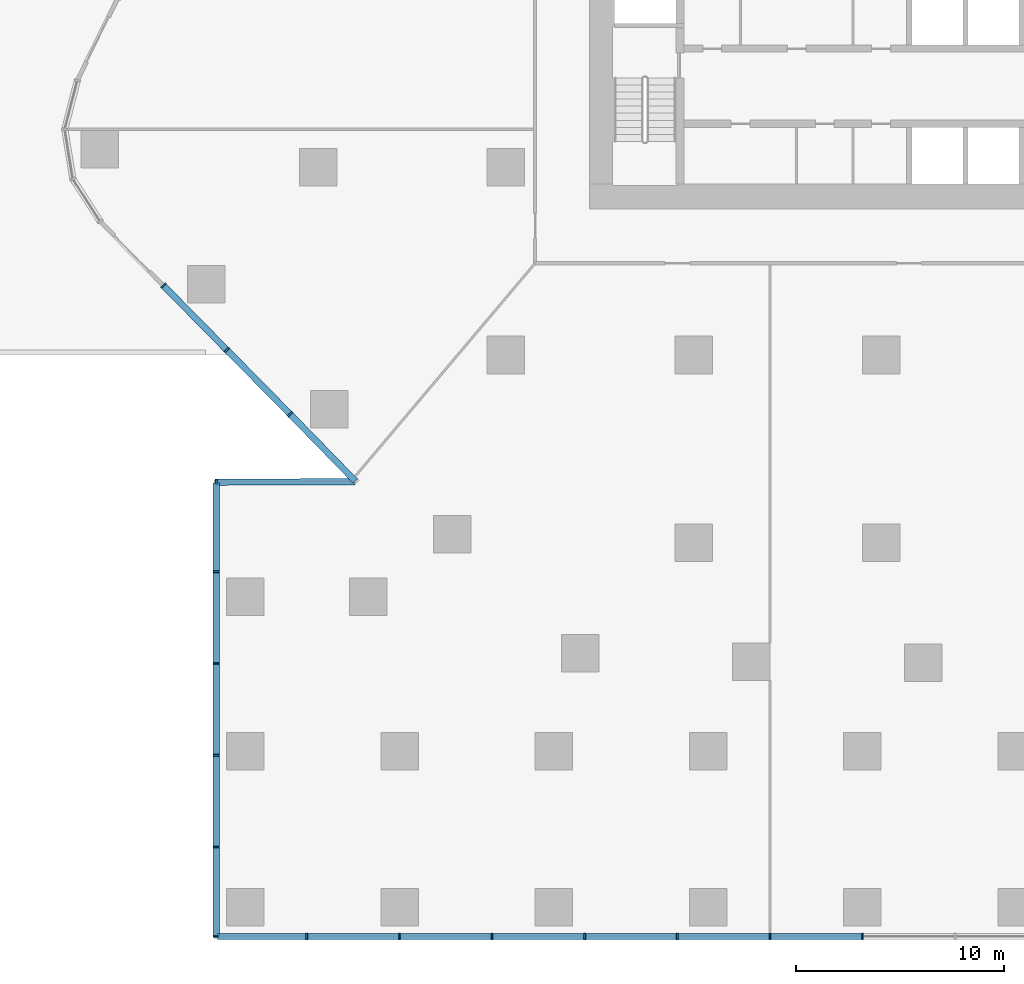
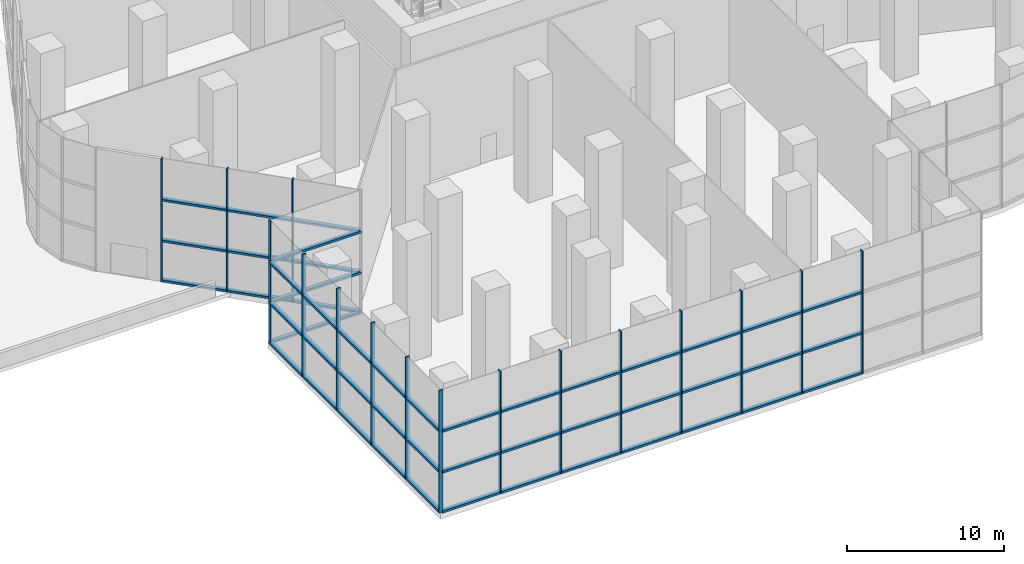
# One storey, part 2 of 21: 64 members, 4 elements without a shape of their own.
"""IFC4 building model written with IfcOpenShell, lengths in metres."""

from ifc_helpers import new_model, si_unit, direction, frame, origin, origin_2d, place, context, subcontext, project, spatial, rectangle, extrude, material, layer, layer_set, material_profile, profile_set, type_object, element, aggregate, save


model = new_model("IFC4")

# Units and contexts
model_context = context("Model", 3, precision=1e-05, world=origin(), true_north=direction((0.0, 1.0)))
body_context = subcontext(model_context, "Body", "Model", "MODEL_VIEW")
ifc_project = project(units=[si_unit("LENGTHUNIT", "METRE"), si_unit("AREAUNIT", "SQUARE_METRE"), si_unit("VOLUMEUNIT", "CUBIC_METRE"), si_unit("PLANEANGLEUNIT", "RADIAN"), si_unit("MASSUNIT", "GRAM", prefix="KILO")], contexts=[model_context])

# Site, building, storey
site_placement = place(None, origin())
site = spatial("IfcSite", under=ifc_project, at=site_placement, CompositionType="ELEMENT")
building_placement = place(site_placement, origin())
building = spatial("IfcBuilding", under=site, at=building_placement, Name="Dongbaek Canopy Tower", CompositionType="ELEMENT")
storey_placement = place(building_placement, frame((0.0, 0.0, 9.0)))
storey = spatial("IfcBuildingStorey", under=building, at=storey_placement, Name="L01", CompositionType="ELEMENT", Elevation=9.0)

# Curtain wall, members
ifc_material_1 = material(Name="Aluminium 6063-T6 pale anodised", Category="aluminium")
ifc_layer = layer(ifc_material_1, 0.300048828125)
ifc_layer_set = layer_set([ifc_layer], Name="CW-2 podium hall curtain wall")
curtain_wall_type = type_object("IfcCurtainWallType", Name="CW-2 podium hall curtain wall", PredefinedType="NOTDEFINED", material=ifc_layer_set)
curtain_wall_1_placement = place(storey_placement, origin())
curtain_wall_1 = element("IfcCurtainWall", 1, at=curtain_wall_1_placement, inside=storey, type_object=curtain_wall_type, Name="CW-2 curtain wall F8.1", PredefinedType="NOTDEFINED")
ifc_material_2 = material(Name="Aluminium 6063-T6 pale anodised", Category="aluminium")
ifc_material_profile_1 = material_profile(ifc_material_2, rectangle(XDim=0.300048828125, YDim=0.080078125, at=origin_2d()), Name="CW-2 mullion 80 x 300")
ifc_profile_set_1 = profile_set([ifc_material_profile_1], Name="Aluminium 6063-T6 pale anodised")
member_type_1 = type_object("IfcMemberType", Name="CW-2 mullion 80 x 300", PredefinedType="MULLION", material=ifc_profile_set_1)
member_1_placement = place(storey_placement, frame((-34.432861328125, -14.668212890625, 0.0), z_axis=(0.0, 0.0, 1.0), x_axis=(-0.71245453488, -0.70171827376, 0.0)))
member_1 = element("IfcMember", 2, at=member_1_placement, type_object=member_type_1, Name="CW-2 mullion F8.1.1", PredefinedType="MULLION", context=body_context, shape_type="SweptSolid", body=[
    extrude(rectangle(XDim=0.300048828125, YDim=0.080078125, at=origin_2d()), origin(), (0.0, 0.0, 1.0), 9.550048828125),
])
member_2_placement = place(storey_placement, frame((-31.392333984375, -17.75537109375, 0.0), z_axis=(0.0, 0.0, 1.0), x_axis=(-0.71245453488, -0.70171827376, 0.0)))
member_2 = element("IfcMember", 3, at=member_2_placement, type_object=member_type_1, Name="CW-2 mullion F8.1.2", PredefinedType="MULLION", context=body_context, shape_type="SweptSolid", body=[
    extrude(rectangle(XDim=0.300048828125, YDim=0.080078125, at=origin_2d()), origin(), (0.0, 0.0, 1.0), 9.550048828125),
])
member_3_placement = place(storey_placement, frame((-28.3515625, -20.842529296875, 0.0), z_axis=(0.0, 0.0, 1.0), x_axis=(-0.714220075218, -0.699921198533, 0.0)))
member_3 = element("IfcMember", 4, at=member_3_placement, type_object=member_type_1, Name="CW-2 mullion F8.1.3", PredefinedType="MULLION", context=body_context, shape_type="SweptSolid", body=[
    extrude(rectangle(XDim=0.300048828125, YDim=0.080078125, at=origin_2d()), origin(), (0.0, 0.0, 1.0), 9.550048828125),
])

# Curtain wall, member
curtain_wall_2_placement = place(storey_placement, origin())
curtain_wall_2 = element("IfcCurtainWall", 5, at=curtain_wall_2_placement, inside=storey, type_object=curtain_wall_type, Name="CW-2 curtain wall F9.1", PredefinedType="NOTDEFINED")
member_4_placement = place(storey_placement, frame((-31.89990234375, -24.10009765625, 0.0), z_axis=(0.0, 0.0, 1.0), x_axis=(-0.003396170688, 0.999994232996, 0.0)))
member_4 = element("IfcMember", 6, at=member_4_placement, type_object=member_type_1, Name="CW-2 mullion F9.1.2", PredefinedType="MULLION", context=body_context, shape_type="SweptSolid", body=[
    extrude(rectangle(XDim=0.300048828125, YDim=0.080078125, at=origin_2d()), origin(), (0.0, 0.0, 1.0), 9.550048828125),
])

# Curtain wall, members
curtain_wall_3_placement = place(storey_placement, origin())
curtain_wall_3 = element("IfcCurtainWall", 7, at=curtain_wall_3_placement, inside=storey, type_object=curtain_wall_type, Name="CW-2 curtain wall F10.1", PredefinedType="NOTDEFINED")
member_5_placement = place(storey_placement, frame((-31.89990234375, -28.39990234375, 0.0), z_axis=(0.0, 0.0, 1.0), x_axis=(-1.0, 0.0, 0.0)))
member_5 = element("IfcMember", 8, at=member_5_placement, type_object=member_type_1, Name="CW-2 mullion F10.1.2", PredefinedType="MULLION", context=body_context, shape_type="SweptSolid", body=[
    extrude(rectangle(XDim=0.300048828125, YDim=0.080078125, at=origin_2d()), origin(), (0.0, 0.0, 1.0), 9.550048828125),
])
member_6_placement = place(storey_placement, frame((-31.89990234375, -32.800048828125, 0.0), z_axis=(0.0, 0.0, 1.0), x_axis=(-1.0, 0.0, 0.0)))
member_6 = element("IfcMember", 9, at=member_6_placement, type_object=member_type_1, Name="CW-2 mullion F10.1.3", PredefinedType="MULLION", context=body_context, shape_type="SweptSolid", body=[
    extrude(rectangle(XDim=0.300048828125, YDim=0.080078125, at=origin_2d()), origin(), (0.0, 0.0, 1.0), 9.550048828125),
])
member_7_placement = place(storey_placement, frame((-31.89990234375, -37.199951171875, 0.0), z_axis=(0.0, 0.0, 1.0), x_axis=(-1.0, 0.0, 0.0)))
member_7 = element("IfcMember", 10, at=member_7_placement, type_object=member_type_1, Name="CW-2 mullion F10.1.4", PredefinedType="MULLION", context=body_context, shape_type="SweptSolid", body=[
    extrude(rectangle(XDim=0.300048828125, YDim=0.080078125, at=origin_2d()), origin(), (0.0, 0.0, 1.0), 9.550048828125),
])
member_8_placement = place(storey_placement, frame((-31.89990234375, -41.60009765625, 0.0), z_axis=(0.0, 0.0, 1.0), x_axis=(-1.0, 0.0, 0.0)))
member_8 = element("IfcMember", 11, at=member_8_placement, type_object=member_type_1, Name="CW-2 mullion F10.1.5", PredefinedType="MULLION", context=body_context, shape_type="SweptSolid", body=[
    extrude(rectangle(XDim=0.300048828125, YDim=0.080078125, at=origin_2d()), origin(), (0.0, 0.0, 1.0), 9.550048828125),
])
member_9_placement = place(storey_placement, frame((-31.89990234375, -45.89990234375, 0.0), z_axis=(0.0, 0.0, 1.0), x_axis=(-1.0, 0.0, 0.0)))
member_9 = element("IfcMember", 12, at=member_9_placement, type_object=member_type_1, Name="CW-2 mullion F10.1.6", PredefinedType="MULLION", context=body_context, shape_type="SweptSolid", body=[
    extrude(rectangle(XDim=0.300048828125, YDim=0.080078125, at=origin_2d()), origin(), (0.0, 0.0, 1.0), 9.550048828125),
])

curtain_wall_4_placement = place(storey_placement, origin())
curtain_wall_4 = element("IfcCurtainWall", 13, at=curtain_wall_4_placement, inside=storey, type_object=curtain_wall_type, Name="CW-2 curtain wall F11.1", PredefinedType="NOTDEFINED")
member_10_placement = place(storey_placement, frame((-27.5556640625, -45.89990234375, 0.0), z_axis=(0.0, 0.0, 1.0), x_axis=(0.0, -1.0, 0.0)))
member_10 = element("IfcMember", 14, at=member_10_placement, type_object=member_type_1, Name="CW-2 mullion F11.1.2", PredefinedType="MULLION", context=body_context, shape_type="SweptSolid", body=[
    extrude(rectangle(XDim=0.300048828125, YDim=0.080078125, at=origin_2d()), origin(), (0.0, 0.0, 1.0), 9.550048828125),
])
member_11_placement = place(storey_placement, frame((-23.111083984375, -45.89990234375, 0.0), z_axis=(0.0, 0.0, 1.0), x_axis=(0.0, -1.0, 0.0)))
member_11 = element("IfcMember", 15, at=member_11_placement, type_object=member_type_1, Name="CW-2 mullion F11.1.3", PredefinedType="MULLION", context=body_context, shape_type="SweptSolid", body=[
    extrude(rectangle(XDim=0.300048828125, YDim=0.080078125, at=origin_2d()), origin(), (0.0, 0.0, 1.0), 9.550048828125),
])
member_12_placement = place(storey_placement, frame((-18.666748046875, -45.89990234375, 0.0), z_axis=(0.0, 0.0, 1.0), x_axis=(0.0, -1.0, 0.0)))
member_12 = element("IfcMember", 16, at=member_12_placement, type_object=member_type_1, Name="CW-2 mullion F11.1.4", PredefinedType="MULLION", context=body_context, shape_type="SweptSolid", body=[
    extrude(rectangle(XDim=0.300048828125, YDim=0.080078125, at=origin_2d()), origin(), (0.0, 0.0, 1.0), 9.550048828125),
])
member_13_placement = place(storey_placement, frame((-14.22216796875, -45.89990234375, 0.0), z_axis=(0.0, 0.0, 1.0), x_axis=(0.0, -1.0, 0.0)))
member_13 = element("IfcMember", 17, at=member_13_placement, type_object=member_type_1, Name="CW-2 mullion F11.1.5", PredefinedType="MULLION", context=body_context, shape_type="SweptSolid", body=[
    extrude(rectangle(XDim=0.300048828125, YDim=0.080078125, at=origin_2d()), origin(), (0.0, 0.0, 1.0), 9.550048828125),
])
member_14_placement = place(storey_placement, frame((-9.77783203125, -45.89990234375, 0.0), z_axis=(0.0, 0.0, 1.0), x_axis=(0.0, -1.0, 0.0)))
member_14 = element("IfcMember", 18, at=member_14_placement, type_object=member_type_1, Name="CW-2 mullion F11.1.6", PredefinedType="MULLION", context=body_context, shape_type="SweptSolid", body=[
    extrude(rectangle(XDim=0.300048828125, YDim=0.080078125, at=origin_2d()), origin(), (0.0, 0.0, 1.0), 9.550048828125),
])
member_15_placement = place(storey_placement, frame((-5.333251953125, -45.89990234375, 0.0), z_axis=(0.0, 0.0, 1.0), x_axis=(0.0, -1.0, 0.0)))
member_15 = element("IfcMember", 19, at=member_15_placement, type_object=member_type_1, Name="CW-2 mullion F11.1.7", PredefinedType="MULLION", context=body_context, shape_type="SweptSolid", body=[
    extrude(rectangle(XDim=0.300048828125, YDim=0.080078125, at=origin_2d()), origin(), (0.0, 0.0, 1.0), 9.550048828125),
])
member_16_placement = place(storey_placement, frame((-0.888916015625, -45.89990234375, 0.0), z_axis=(0.0, 0.0, 1.0), x_axis=(0.0, -1.0, 0.0)))
member_16 = element("IfcMember", 20, at=member_16_placement, type_object=member_type_1, Name="CW-2 mullion F11.1.8", PredefinedType="MULLION", context=body_context, shape_type="SweptSolid", body=[
    extrude(rectangle(XDim=0.300048828125, YDim=0.080078125, at=origin_2d()), origin(), (0.0, 0.0, 1.0), 9.550048828125),
])

# Member
ifc_material_3 = material(Name="Aluminium 6063-T6 pale anodised", Category="aluminium")
ifc_material_profile_2 = material_profile(ifc_material_3, rectangle(XDim=0.300048828125, YDim=0.159912109375, at=origin_2d()), Name="CW-2 transom 160 x 300")
ifc_profile_set_2 = profile_set([ifc_material_profile_2], Name="Aluminium 6063-T6 pale anodised")
member_type_2 = type_object("IfcMemberType", Name="CW-2 transom 160 x 300", PredefinedType="USERDEFINED", material=ifc_profile_set_2)
member_17_placement = place(storey_placement, frame((-34.396484375, -14.705322265625, 0.080078125), z_axis=(0.701746738889, -0.712426497584, 0.0), x_axis=(0.712426497584, 0.701746738889, 0.0)))
member_17 = element("IfcMember", 21, at=member_17_placement, type_object=member_type_2, Name="CW-2 transom F8.1.1.1", ObjectType="TRANSOM", PredefinedType="USERDEFINED", context=body_context, shape_type="SweptSolid", body=[
    extrude(rectangle(XDim=0.300048828125, YDim=0.159912109375, at=origin_2d()), origin(), (0.0, 0.0, 1.0), 4.22900390625),
])

member_18_placement = place(storey_placement, frame((-34.396484375, -14.705322265625, 3.183349609375), z_axis=(0.701746738889, -0.712426497584, 0.0), x_axis=(0.712426497584, 0.701746738889, 0.0)))
member_18 = element("IfcMember", 22, at=member_18_placement, type_object=member_type_2, Name="CW-2 transom F8.1.1.2", ObjectType="TRANSOM", PredefinedType="USERDEFINED", context=body_context, shape_type="SweptSolid", body=[
    extrude(rectangle(XDim=0.300048828125, YDim=0.159912109375, at=origin_2d()), origin(), (0.0, 0.0, 1.0), 4.22900390625),
])

member_19_placement = place(storey_placement, frame((-34.396484375, -14.705322265625, 6.36669921875), z_axis=(0.701746738889, -0.712426497584, 0.0), x_axis=(0.712426497584, 0.701746738889, 0.0)))
member_19 = element("IfcMember", 23, at=member_19_placement, type_object=member_type_2, Name="CW-2 transom F8.1.1.3", ObjectType="TRANSOM", PredefinedType="USERDEFINED", context=body_context, shape_type="SweptSolid", body=[
    extrude(rectangle(XDim=0.300048828125, YDim=0.159912109375, at=origin_2d()), origin(), (0.0, 0.0, 1.0), 4.22900390625),
])

member_20_placement = place(storey_placement, frame((-31.355712890625, -17.79248046875, 0.080078125), z_axis=(0.701717878579, -0.712454924105, 0.0), x_axis=(0.712454924105, 0.701717878579, 0.0)))
member_20 = element("IfcMember", 24, at=member_20_placement, type_object=member_type_2, Name="CW-2 transom F8.1.2.1", ObjectType="TRANSOM", PredefinedType="USERDEFINED", context=body_context, shape_type="SweptSolid", body=[
    extrude(rectangle(XDim=0.300048828125, YDim=0.159912109375, at=origin_2d()), origin(), (0.0, 0.0, 1.0), 4.229248046875),
])

member_21_placement = place(storey_placement, frame((-31.355712890625, -17.79248046875, 3.183349609375), z_axis=(0.701717878579, -0.712454924105, 0.0), x_axis=(0.712454924105, 0.701717878579, 0.0)))
member_21 = element("IfcMember", 25, at=member_21_placement, type_object=member_type_2, Name="CW-2 transom F8.1.2.2", ObjectType="TRANSOM", PredefinedType="USERDEFINED", context=body_context, shape_type="SweptSolid", body=[
    extrude(rectangle(XDim=0.300048828125, YDim=0.159912109375, at=origin_2d()), origin(), (0.0, 0.0, 1.0), 4.229248046875),
])

member_22_placement = place(storey_placement, frame((-31.355712890625, -17.79248046875, 6.36669921875), z_axis=(0.701717878579, -0.712454924105, 0.0), x_axis=(0.712454924105, 0.701717878579, 0.0)))
member_22 = element("IfcMember", 26, at=member_22_placement, type_object=member_type_2, Name="CW-2 transom F8.1.2.3", ObjectType="TRANSOM", PredefinedType="USERDEFINED", context=body_context, shape_type="SweptSolid", body=[
    extrude(rectangle(XDim=0.300048828125, YDim=0.159912109375, at=origin_2d()), origin(), (0.0, 0.0, 1.0), 4.229248046875),
])

member_23_placement = place(storey_placement, frame((-28.315185546875, -20.8798828125, 0.080078125), z_axis=(0.698117150151, -0.715983550555, 0.0), x_axis=(0.715983550555, 0.698117150151, 0.0)))
member_23 = element("IfcMember", 27, at=member_23_placement, type_object=member_type_2, Name="CW-2 transom F8.1.3.1", ObjectType="TRANSOM", PredefinedType="USERDEFINED", context=body_context, shape_type="SweptSolid", body=[
    extrude(rectangle(XDim=0.300048828125, YDim=0.159912109375, at=origin_2d()), origin(), (0.0, 0.0, 1.0), 4.413818359375),
])

member_24_placement = place(storey_placement, frame((-28.315185546875, -20.8798828125, 3.183349609375), z_axis=(0.698117150151, -0.715983550555, 0.0), x_axis=(0.715983550555, 0.698117150151, 0.0)))
member_24 = element("IfcMember", 28, at=member_24_placement, type_object=member_type_2, Name="CW-2 transom F8.1.3.2", ObjectType="TRANSOM", PredefinedType="USERDEFINED", context=body_context, shape_type="SweptSolid", body=[
    extrude(rectangle(XDim=0.300048828125, YDim=0.159912109375, at=origin_2d()), origin(), (0.0, 0.0, 1.0), 4.413818359375),
])

member_25_placement = place(storey_placement, frame((-28.315185546875, -20.8798828125, 6.36669921875), z_axis=(0.698117150151, -0.715983550555, 0.0), x_axis=(0.715983550555, 0.698117150151, 0.0)))
member_25 = element("IfcMember", 29, at=member_25_placement, type_object=member_type_2, Name="CW-2 transom F8.1.3.3", ObjectType="TRANSOM", PredefinedType="USERDEFINED", context=body_context, shape_type="SweptSolid", body=[
    extrude(rectangle(XDim=0.300048828125, YDim=0.159912109375, at=origin_2d()), origin(), (0.0, 0.0, 1.0), 4.413818359375),
])

aggregate(curtain_wall_1, [member_1, member_2, member_3, member_17, member_18, member_19, member_20, member_21, member_22, member_23, member_24, member_25])

member_26_placement = place(storey_placement, frame((-25.249755859375, -24.077392578125, 0.080078125), z_axis=(-0.999994206002, -0.003404109633, 0.0), x_axis=(0.003404109633, -0.999994206002, 0.0)))
member_26 = element("IfcMember", 30, at=member_26_placement, type_object=member_type_2, Name="CW-2 transom F9.1.1.1", ObjectType="TRANSOM", PredefinedType="USERDEFINED", context=body_context, shape_type="SweptSolid", body=[
    extrude(rectangle(XDim=0.300048828125, YDim=0.159912109375, at=origin_2d()), origin(), (0.0, 0.0, 1.0), 6.59814453125),
])

member_27_placement = place(storey_placement, frame((-25.249755859375, -24.077392578125, 3.183349609375), z_axis=(-0.999994206002, -0.003404109633, 0.0), x_axis=(0.003404109633, -0.999994206002, 0.0)))
member_27 = element("IfcMember", 31, at=member_27_placement, type_object=member_type_2, Name="CW-2 transom F9.1.1.2", ObjectType="TRANSOM", PredefinedType="USERDEFINED", context=body_context, shape_type="SweptSolid", body=[
    extrude(rectangle(XDim=0.300048828125, YDim=0.159912109375, at=origin_2d()), origin(), (0.0, 0.0, 1.0), 6.59814453125),
])

member_28_placement = place(storey_placement, frame((-25.249755859375, -24.077392578125, 6.36669921875), z_axis=(-0.999994206002, -0.003404109633, 0.0), x_axis=(0.003404109633, -0.999994206002, 0.0)))
member_28 = element("IfcMember", 32, at=member_28_placement, type_object=member_type_2, Name="CW-2 transom F9.1.1.3", ObjectType="TRANSOM", PredefinedType="USERDEFINED", context=body_context, shape_type="SweptSolid", body=[
    extrude(rectangle(XDim=0.300048828125, YDim=0.159912109375, at=origin_2d()), origin(), (0.0, 0.0, 1.0), 6.59814453125),
])

aggregate(curtain_wall_2, [member_4, member_26, member_27, member_28])

member_29_placement = place(storey_placement, frame((-31.89990234375, -24.152099609375, 0.080078125), z_axis=(0.0, -1.0, 0.0), x_axis=(1.0, 0.0, 0.0)))
member_29 = element("IfcMember", 33, at=member_29_placement, type_object=member_type_2, Name="CW-2 transom F10.1.1.1", ObjectType="TRANSOM", PredefinedType="USERDEFINED", context=body_context, shape_type="SweptSolid", body=[
    extrude(rectangle(XDim=0.300048828125, YDim=0.159912109375, at=origin_2d()), origin(), (0.0, 0.0, 1.0), 4.19580078125),
])

member_30_placement = place(storey_placement, frame((-31.89990234375, -24.152099609375, 3.183349609375), z_axis=(0.0, -1.0, 0.0), x_axis=(1.0, 0.0, 0.0)))
member_30 = element("IfcMember", 34, at=member_30_placement, type_object=member_type_2, Name="CW-2 transom F10.1.1.2", ObjectType="TRANSOM", PredefinedType="USERDEFINED", context=body_context, shape_type="SweptSolid", body=[
    extrude(rectangle(XDim=0.300048828125, YDim=0.159912109375, at=origin_2d()), origin(), (0.0, 0.0, 1.0), 4.19580078125),
])

member_31_placement = place(storey_placement, frame((-31.89990234375, -24.152099609375, 6.36669921875), z_axis=(0.0, -1.0, 0.0), x_axis=(1.0, 0.0, 0.0)))
member_31 = element("IfcMember", 35, at=member_31_placement, type_object=member_type_2, Name="CW-2 transom F10.1.1.3", ObjectType="TRANSOM", PredefinedType="USERDEFINED", context=body_context, shape_type="SweptSolid", body=[
    extrude(rectangle(XDim=0.300048828125, YDim=0.159912109375, at=origin_2d()), origin(), (0.0, 0.0, 1.0), 4.19580078125),
])

member_32_placement = place(storey_placement, frame((-31.89990234375, -28.451904296875, 0.080078125), z_axis=(0.0, -1.0, 0.0), x_axis=(1.0, 0.0, 0.0)))
member_32 = element("IfcMember", 36, at=member_32_placement, type_object=member_type_2, Name="CW-2 transom F10.1.2.1", ObjectType="TRANSOM", PredefinedType="USERDEFINED", context=body_context, shape_type="SweptSolid", body=[
    extrude(rectangle(XDim=0.300048828125, YDim=0.159912109375, at=origin_2d()), origin(), (0.0, 0.0, 1.0), 4.296142578125),
])

member_33_placement = place(storey_placement, frame((-31.89990234375, -28.451904296875, 3.183349609375), z_axis=(0.0, -1.0, 0.0), x_axis=(1.0, 0.0, 0.0)))
member_33 = element("IfcMember", 37, at=member_33_placement, type_object=member_type_2, Name="CW-2 transom F10.1.2.2", ObjectType="TRANSOM", PredefinedType="USERDEFINED", context=body_context, shape_type="SweptSolid", body=[
    extrude(rectangle(XDim=0.300048828125, YDim=0.159912109375, at=origin_2d()), origin(), (0.0, 0.0, 1.0), 4.296142578125),
])

member_34_placement = place(storey_placement, frame((-31.89990234375, -28.451904296875, 6.36669921875), z_axis=(0.0, -1.0, 0.0), x_axis=(1.0, 0.0, 0.0)))
member_34 = element("IfcMember", 38, at=member_34_placement, type_object=member_type_2, Name="CW-2 transom F10.1.2.3", ObjectType="TRANSOM", PredefinedType="USERDEFINED", context=body_context, shape_type="SweptSolid", body=[
    extrude(rectangle(XDim=0.300048828125, YDim=0.159912109375, at=origin_2d()), origin(), (0.0, 0.0, 1.0), 4.296142578125),
])

member_35_placement = place(storey_placement, frame((-31.89990234375, -32.85205078125, 0.080078125), z_axis=(0.0, -1.0, 0.0), x_axis=(1.0, 0.0, 0.0)))
member_35 = element("IfcMember", 39, at=member_35_placement, type_object=member_type_2, Name="CW-2 transom F10.1.3.1", ObjectType="TRANSOM", PredefinedType="USERDEFINED", context=body_context, shape_type="SweptSolid", body=[
    extrude(rectangle(XDim=0.300048828125, YDim=0.159912109375, at=origin_2d()), origin(), (0.0, 0.0, 1.0), 4.2958984375),
])

member_36_placement = place(storey_placement, frame((-31.89990234375, -32.85205078125, 3.183349609375), z_axis=(0.0, -1.0, 0.0), x_axis=(1.0, 0.0, 0.0)))
member_36 = element("IfcMember", 40, at=member_36_placement, type_object=member_type_2, Name="CW-2 transom F10.1.3.2", ObjectType="TRANSOM", PredefinedType="USERDEFINED", context=body_context, shape_type="SweptSolid", body=[
    extrude(rectangle(XDim=0.300048828125, YDim=0.159912109375, at=origin_2d()), origin(), (0.0, 0.0, 1.0), 4.2958984375),
])

member_37_placement = place(storey_placement, frame((-31.89990234375, -32.85205078125, 6.36669921875), z_axis=(0.0, -1.0, 0.0), x_axis=(1.0, 0.0, 0.0)))
member_37 = element("IfcMember", 41, at=member_37_placement, type_object=member_type_2, Name="CW-2 transom F10.1.3.3", ObjectType="TRANSOM", PredefinedType="USERDEFINED", context=body_context, shape_type="SweptSolid", body=[
    extrude(rectangle(XDim=0.300048828125, YDim=0.159912109375, at=origin_2d()), origin(), (0.0, 0.0, 1.0), 4.2958984375),
])

member_38_placement = place(storey_placement, frame((-31.89990234375, -37.251953125, 0.080078125), z_axis=(0.0, -1.0, 0.0), x_axis=(1.0, 0.0, 0.0)))
member_38 = element("IfcMember", 42, at=member_38_placement, type_object=member_type_2, Name="CW-2 transom F10.1.4.1", ObjectType="TRANSOM", PredefinedType="USERDEFINED", context=body_context, shape_type="SweptSolid", body=[
    extrude(rectangle(XDim=0.300048828125, YDim=0.159912109375, at=origin_2d()), origin(), (0.0, 0.0, 1.0), 4.296142578125),
])

member_39_placement = place(storey_placement, frame((-31.89990234375, -37.251953125, 3.183349609375), z_axis=(0.0, -1.0, 0.0), x_axis=(1.0, 0.0, 0.0)))
member_39 = element("IfcMember", 43, at=member_39_placement, type_object=member_type_2, Name="CW-2 transom F10.1.4.2", ObjectType="TRANSOM", PredefinedType="USERDEFINED", context=body_context, shape_type="SweptSolid", body=[
    extrude(rectangle(XDim=0.300048828125, YDim=0.159912109375, at=origin_2d()), origin(), (0.0, 0.0, 1.0), 4.296142578125),
])

member_40_placement = place(storey_placement, frame((-31.89990234375, -37.251953125, 6.36669921875), z_axis=(0.0, -1.0, 0.0), x_axis=(1.0, 0.0, 0.0)))
member_40 = element("IfcMember", 44, at=member_40_placement, type_object=member_type_2, Name="CW-2 transom F10.1.4.3", ObjectType="TRANSOM", PredefinedType="USERDEFINED", context=body_context, shape_type="SweptSolid", body=[
    extrude(rectangle(XDim=0.300048828125, YDim=0.159912109375, at=origin_2d()), origin(), (0.0, 0.0, 1.0), 4.296142578125),
])

member_41_placement = place(storey_placement, frame((-31.89990234375, -41.652099609375, 0.080078125), z_axis=(0.0, -1.0, 0.0), x_axis=(1.0, 0.0, 0.0)))
member_41 = element("IfcMember", 45, at=member_41_placement, type_object=member_type_2, Name="CW-2 transom F10.1.5.1", ObjectType="TRANSOM", PredefinedType="USERDEFINED", context=body_context, shape_type="SweptSolid", body=[
    extrude(rectangle(XDim=0.300048828125, YDim=0.159912109375, at=origin_2d()), origin(), (0.0, 0.0, 1.0), 4.19580078125),
])

member_42_placement = place(storey_placement, frame((-31.89990234375, -41.652099609375, 3.183349609375), z_axis=(0.0, -1.0, 0.0), x_axis=(1.0, 0.0, 0.0)))
member_42 = element("IfcMember", 46, at=member_42_placement, type_object=member_type_2, Name="CW-2 transom F10.1.5.2", ObjectType="TRANSOM", PredefinedType="USERDEFINED", context=body_context, shape_type="SweptSolid", body=[
    extrude(rectangle(XDim=0.300048828125, YDim=0.159912109375, at=origin_2d()), origin(), (0.0, 0.0, 1.0), 4.19580078125),
])

member_43_placement = place(storey_placement, frame((-31.89990234375, -41.652099609375, 6.36669921875), z_axis=(0.0, -1.0, 0.0), x_axis=(1.0, 0.0, 0.0)))
member_43 = element("IfcMember", 47, at=member_43_placement, type_object=member_type_2, Name="CW-2 transom F10.1.5.3", ObjectType="TRANSOM", PredefinedType="USERDEFINED", context=body_context, shape_type="SweptSolid", body=[
    extrude(rectangle(XDim=0.300048828125, YDim=0.159912109375, at=origin_2d()), origin(), (0.0, 0.0, 1.0), 4.19580078125),
])

aggregate(curtain_wall_3, [member_5, member_6, member_7, member_8, member_9, member_29, member_30, member_31, member_32, member_33, member_34, member_35, member_36, member_37, member_38, member_39, member_40, member_41, member_42, member_43])

member_44_placement = place(storey_placement, frame((-31.847900390625, -45.89990234375, 0.080078125), z_axis=(1.0, 0.0, 0.0), x_axis=(0.0, 1.0, 0.0)))
member_44 = element("IfcMember", 48, at=member_44_placement, type_object=member_type_2, Name="CW-2 transom F11.1.1.1", ObjectType="TRANSOM", PredefinedType="USERDEFINED", context=body_context, shape_type="SweptSolid", body=[
    extrude(rectangle(XDim=0.300048828125, YDim=0.159912109375, at=origin_2d()), origin(), (0.0, 0.0, 1.0), 4.240234375),
])

member_45_placement = place(storey_placement, frame((-31.847900390625, -45.89990234375, 3.183349609375), z_axis=(1.0, 0.0, 0.0), x_axis=(0.0, 1.0, 0.0)))
member_45 = element("IfcMember", 49, at=member_45_placement, type_object=member_type_2, Name="CW-2 transom F11.1.1.2", ObjectType="TRANSOM", PredefinedType="USERDEFINED", context=body_context, shape_type="SweptSolid", body=[
    extrude(rectangle(XDim=0.300048828125, YDim=0.159912109375, at=origin_2d()), origin(), (0.0, 0.0, 1.0), 4.240234375),
])

member_46_placement = place(storey_placement, frame((-31.847900390625, -45.89990234375, 6.36669921875), z_axis=(1.0, 0.0, 0.0), x_axis=(0.0, 1.0, 0.0)))
member_46 = element("IfcMember", 50, at=member_46_placement, type_object=member_type_2, Name="CW-2 transom F11.1.1.3", ObjectType="TRANSOM", PredefinedType="USERDEFINED", context=body_context, shape_type="SweptSolid", body=[
    extrude(rectangle(XDim=0.300048828125, YDim=0.159912109375, at=origin_2d()), origin(), (0.0, 0.0, 1.0), 4.240234375),
])

member_47_placement = place(storey_placement, frame((-27.503662109375, -45.89990234375, 0.080078125), z_axis=(1.0, 0.0, 0.0), x_axis=(0.0, 1.0, 0.0)))
member_47 = element("IfcMember", 51, at=member_47_placement, type_object=member_type_2, Name="CW-2 transom F11.1.2.1", ObjectType="TRANSOM", PredefinedType="USERDEFINED", context=body_context, shape_type="SweptSolid", body=[
    extrude(rectangle(XDim=0.300048828125, YDim=0.159912109375, at=origin_2d()), origin(), (0.0, 0.0, 1.0), 4.340576171875),
])

member_48_placement = place(storey_placement, frame((-27.503662109375, -45.89990234375, 3.183349609375), z_axis=(1.0, 0.0, 0.0), x_axis=(0.0, 1.0, 0.0)))
member_48 = element("IfcMember", 52, at=member_48_placement, type_object=member_type_2, Name="CW-2 transom F11.1.2.2", ObjectType="TRANSOM", PredefinedType="USERDEFINED", context=body_context, shape_type="SweptSolid", body=[
    extrude(rectangle(XDim=0.300048828125, YDim=0.159912109375, at=origin_2d()), origin(), (0.0, 0.0, 1.0), 4.340576171875),
])

member_49_placement = place(storey_placement, frame((-27.503662109375, -45.89990234375, 6.36669921875), z_axis=(1.0, 0.0, 0.0), x_axis=(0.0, 1.0, 0.0)))
member_49 = element("IfcMember", 53, at=member_49_placement, type_object=member_type_2, Name="CW-2 transom F11.1.2.3", ObjectType="TRANSOM", PredefinedType="USERDEFINED", context=body_context, shape_type="SweptSolid", body=[
    extrude(rectangle(XDim=0.300048828125, YDim=0.159912109375, at=origin_2d()), origin(), (0.0, 0.0, 1.0), 4.340576171875),
])

member_50_placement = place(storey_placement, frame((-23.05908203125, -45.89990234375, 0.080078125), z_axis=(1.0, 0.0, 0.0), x_axis=(0.0, 1.0, 0.0)))
member_50 = element("IfcMember", 54, at=member_50_placement, type_object=member_type_2, Name="CW-2 transom F11.1.3.1", ObjectType="TRANSOM", PredefinedType="USERDEFINED", context=body_context, shape_type="SweptSolid", body=[
    extrude(rectangle(XDim=0.300048828125, YDim=0.159912109375, at=origin_2d()), origin(), (0.0, 0.0, 1.0), 4.34033203125),
])

member_51_placement = place(storey_placement, frame((-23.05908203125, -45.89990234375, 3.183349609375), z_axis=(1.0, 0.0, 0.0), x_axis=(0.0, 1.0, 0.0)))
member_51 = element("IfcMember", 55, at=member_51_placement, type_object=member_type_2, Name="CW-2 transom F11.1.3.2", ObjectType="TRANSOM", PredefinedType="USERDEFINED", context=body_context, shape_type="SweptSolid", body=[
    extrude(rectangle(XDim=0.300048828125, YDim=0.159912109375, at=origin_2d()), origin(), (0.0, 0.0, 1.0), 4.34033203125),
])

member_52_placement = place(storey_placement, frame((-23.05908203125, -45.89990234375, 6.36669921875), z_axis=(1.0, 0.0, 0.0), x_axis=(0.0, 1.0, 0.0)))
member_52 = element("IfcMember", 56, at=member_52_placement, type_object=member_type_2, Name="CW-2 transom F11.1.3.3", ObjectType="TRANSOM", PredefinedType="USERDEFINED", context=body_context, shape_type="SweptSolid", body=[
    extrude(rectangle(XDim=0.300048828125, YDim=0.159912109375, at=origin_2d()), origin(), (0.0, 0.0, 1.0), 4.34033203125),
])

member_53_placement = place(storey_placement, frame((-18.61474609375, -45.89990234375, 0.080078125), z_axis=(1.0, 0.0, 0.0), x_axis=(0.0, 1.0, 0.0)))
member_53 = element("IfcMember", 57, at=member_53_placement, type_object=member_type_2, Name="CW-2 transom F11.1.4.1", ObjectType="TRANSOM", PredefinedType="USERDEFINED", context=body_context, shape_type="SweptSolid", body=[
    extrude(rectangle(XDim=0.300048828125, YDim=0.159912109375, at=origin_2d()), origin(), (0.0, 0.0, 1.0), 4.340576171875),
])

member_54_placement = place(storey_placement, frame((-18.61474609375, -45.89990234375, 3.183349609375), z_axis=(1.0, 0.0, 0.0), x_axis=(0.0, 1.0, 0.0)))
member_54 = element("IfcMember", 58, at=member_54_placement, type_object=member_type_2, Name="CW-2 transom F11.1.4.2", ObjectType="TRANSOM", PredefinedType="USERDEFINED", context=body_context, shape_type="SweptSolid", body=[
    extrude(rectangle(XDim=0.300048828125, YDim=0.159912109375, at=origin_2d()), origin(), (0.0, 0.0, 1.0), 4.340576171875),
])

member_55_placement = place(storey_placement, frame((-18.61474609375, -45.89990234375, 6.36669921875), z_axis=(1.0, 0.0, 0.0), x_axis=(0.0, 1.0, 0.0)))
member_55 = element("IfcMember", 59, at=member_55_placement, type_object=member_type_2, Name="CW-2 transom F11.1.4.3", ObjectType="TRANSOM", PredefinedType="USERDEFINED", context=body_context, shape_type="SweptSolid", body=[
    extrude(rectangle(XDim=0.300048828125, YDim=0.159912109375, at=origin_2d()), origin(), (0.0, 0.0, 1.0), 4.340576171875),
])

member_56_placement = place(storey_placement, frame((-14.170166015625, -45.89990234375, 0.080078125), z_axis=(1.0, 0.0, 0.0), x_axis=(0.0, 1.0, 0.0)))
member_56 = element("IfcMember", 60, at=member_56_placement, type_object=member_type_2, Name="CW-2 transom F11.1.5.1", ObjectType="TRANSOM", PredefinedType="USERDEFINED", context=body_context, shape_type="SweptSolid", body=[
    extrude(rectangle(XDim=0.300048828125, YDim=0.159912109375, at=origin_2d()), origin(), (0.0, 0.0, 1.0), 4.34033203125),
])

member_57_placement = place(storey_placement, frame((-14.170166015625, -45.89990234375, 3.183349609375), z_axis=(1.0, 0.0, 0.0), x_axis=(0.0, 1.0, 0.0)))
member_57 = element("IfcMember", 61, at=member_57_placement, type_object=member_type_2, Name="CW-2 transom F11.1.5.2", ObjectType="TRANSOM", PredefinedType="USERDEFINED", context=body_context, shape_type="SweptSolid", body=[
    extrude(rectangle(XDim=0.300048828125, YDim=0.159912109375, at=origin_2d()), origin(), (0.0, 0.0, 1.0), 4.34033203125),
])

member_58_placement = place(storey_placement, frame((-14.170166015625, -45.89990234375, 6.36669921875), z_axis=(1.0, 0.0, 0.0), x_axis=(0.0, 1.0, 0.0)))
member_58 = element("IfcMember", 62, at=member_58_placement, type_object=member_type_2, Name="CW-2 transom F11.1.5.3", ObjectType="TRANSOM", PredefinedType="USERDEFINED", context=body_context, shape_type="SweptSolid", body=[
    extrude(rectangle(XDim=0.300048828125, YDim=0.159912109375, at=origin_2d()), origin(), (0.0, 0.0, 1.0), 4.34033203125),
])

member_59_placement = place(storey_placement, frame((-9.725830078125, -45.89990234375, 0.080078125), z_axis=(1.0, 0.0, 0.0), x_axis=(0.0, 1.0, 0.0)))
member_59 = element("IfcMember", 63, at=member_59_placement, type_object=member_type_2, Name="CW-2 transom F11.1.6.1", ObjectType="TRANSOM", PredefinedType="USERDEFINED", context=body_context, shape_type="SweptSolid", body=[
    extrude(rectangle(XDim=0.300048828125, YDim=0.159912109375, at=origin_2d()), origin(), (0.0, 0.0, 1.0), 4.340576171875),
])

member_60_placement = place(storey_placement, frame((-9.725830078125, -45.89990234375, 3.183349609375), z_axis=(1.0, 0.0, 0.0), x_axis=(0.0, 1.0, 0.0)))
member_60 = element("IfcMember", 64, at=member_60_placement, type_object=member_type_2, Name="CW-2 transom F11.1.6.2", ObjectType="TRANSOM", PredefinedType="USERDEFINED", context=body_context, shape_type="SweptSolid", body=[
    extrude(rectangle(XDim=0.300048828125, YDim=0.159912109375, at=origin_2d()), origin(), (0.0, 0.0, 1.0), 4.340576171875),
])

member_61_placement = place(storey_placement, frame((-9.725830078125, -45.89990234375, 6.36669921875), z_axis=(1.0, 0.0, 0.0), x_axis=(0.0, 1.0, 0.0)))
member_61 = element("IfcMember", 65, at=member_61_placement, type_object=member_type_2, Name="CW-2 transom F11.1.6.3", ObjectType="TRANSOM", PredefinedType="USERDEFINED", context=body_context, shape_type="SweptSolid", body=[
    extrude(rectangle(XDim=0.300048828125, YDim=0.159912109375, at=origin_2d()), origin(), (0.0, 0.0, 1.0), 4.340576171875),
])

member_62_placement = place(storey_placement, frame((-5.28125, -45.89990234375, 0.080078125), z_axis=(1.0, 0.0, 0.0), x_axis=(0.0, 1.0, 0.0)))
member_62 = element("IfcMember", 66, at=member_62_placement, type_object=member_type_2, Name="CW-2 transom F11.1.7.1", ObjectType="TRANSOM", PredefinedType="USERDEFINED", context=body_context, shape_type="SweptSolid", body=[
    extrude(rectangle(XDim=0.300048828125, YDim=0.159912109375, at=origin_2d()), origin(), (0.0, 0.0, 1.0), 4.34033203125),
])

member_63_placement = place(storey_placement, frame((-5.28125, -45.89990234375, 3.183349609375), z_axis=(1.0, 0.0, 0.0), x_axis=(0.0, 1.0, 0.0)))
member_63 = element("IfcMember", 67, at=member_63_placement, type_object=member_type_2, Name="CW-2 transom F11.1.7.2", ObjectType="TRANSOM", PredefinedType="USERDEFINED", context=body_context, shape_type="SweptSolid", body=[
    extrude(rectangle(XDim=0.300048828125, YDim=0.159912109375, at=origin_2d()), origin(), (0.0, 0.0, 1.0), 4.34033203125),
])

member_64_placement = place(storey_placement, frame((-5.28125, -45.89990234375, 6.36669921875), z_axis=(1.0, 0.0, 0.0), x_axis=(0.0, 1.0, 0.0)))
member_64 = element("IfcMember", 68, at=member_64_placement, type_object=member_type_2, Name="CW-2 transom F11.1.7.3", ObjectType="TRANSOM", PredefinedType="USERDEFINED", context=body_context, shape_type="SweptSolid", body=[
    extrude(rectangle(XDim=0.300048828125, YDim=0.159912109375, at=origin_2d()), origin(), (0.0, 0.0, 1.0), 4.34033203125),
])

aggregate(curtain_wall_4, [member_10, member_11, member_12, member_13, member_14, member_15, member_16, member_44, member_45, member_46, member_47, member_48, member_49, member_50, member_51, member_52, member_53, member_54, member_55, member_56, member_57, member_58, member_59, member_60, member_61, member_62, member_63, member_64])

save(model, "model.ifc")
